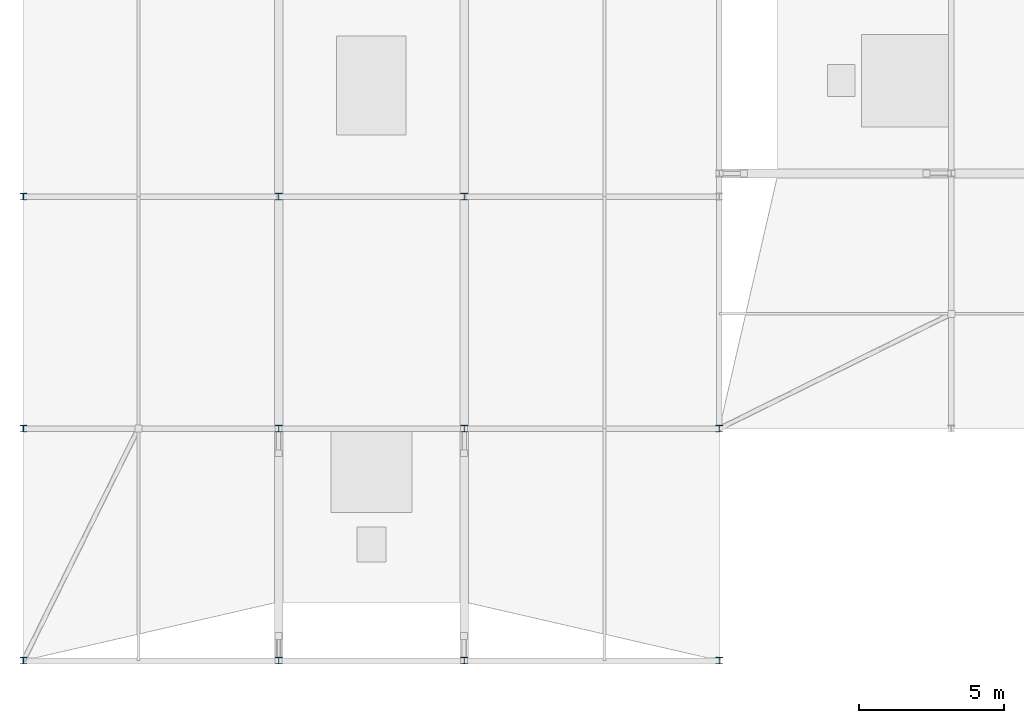
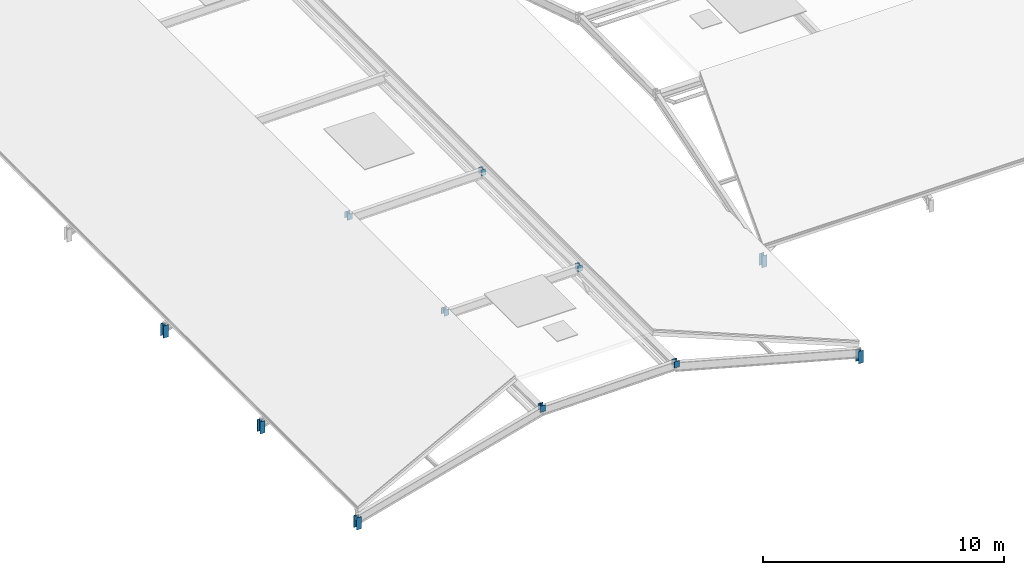
# One storey, part 18 of 54: 11 members.
"""IFC4 building model written with IfcOpenShell, lengths in metres."""

from ifc_helpers import new_model, si_unit, direction, frame, origin, origin_2d, place, context, subcontext, project, spatial, i_section, extrude, material, material_profile, profile_set, type_object, element, save


model = new_model("IFC4")

# Units and contexts
model_context = context("Model", 3, precision=1e-05, world=origin(), true_north=direction((0.0, 1.0)))
body_context = subcontext(model_context, "Body", "Model", "MODEL_VIEW")
ifc_project = project(units=[si_unit("LENGTHUNIT", "METRE"), si_unit("AREAUNIT", "SQUARE_METRE"), si_unit("VOLUMEUNIT", "CUBIC_METRE"), si_unit("PLANEANGLEUNIT", "RADIAN"), si_unit("MASSUNIT", "GRAM", prefix="KILO")], contexts=[model_context])

# Site, building, storey
site_placement = place(None, origin())
site = spatial("IfcSite", under=ifc_project, at=site_placement, CompositionType="ELEMENT")
building_placement = place(site_placement, origin())
building = spatial("IfcBuilding", under=site, at=building_placement, Name="Kenh Van Central Station", CompositionType="ELEMENT")
storey_placement = place(building_placement, frame((0.0, 0.0, 15.0)))
storey = spatial("IfcBuildingStorey", under=building, at=storey_placement, Name="L03", CompositionType="ELEMENT", Elevation=15.0)

# Members
ifc_material = material(Name="Steel S355", Category="steel")
ifc_material_profile = material_profile(ifc_material, i_section(OverallWidth=0.239990234375, OverallDepth=0.22998046875, WebThickness=0.007568359375, FlangeThickness=0.011962890625, FilletRadius=0.02099609375, at=origin_2d()), Name="HEA 240")
ifc_profile_set = profile_set([ifc_material_profile], Name="Steel S355")
member_type = type_object("IfcMemberType", Name="MEM-ROOF-POST240", PredefinedType="POST", material=ifc_profile_set)
member_1_placement = place(storey_placement, frame((48.0, 16.0, -0.949951171875), z_axis=(0.0, 0.0, 1.0), x_axis=(1.0, 0.0, 0.0)))
element("IfcMember", 1, at=member_1_placement, inside=storey, type_object=member_type, Name="L03 roof eave post 041", PredefinedType="POST", context=body_context, shape_type="SweptSolid", body=[
    extrude(i_section(OverallWidth=0.239990234375, OverallDepth=0.22998046875, WebThickness=0.007568359375, FlangeThickness=0.011962890625, FilletRadius=0.02099609375, at=origin_2d()), origin(), (0.0, 0.0, 1.0), 0.59814453125),
])
for number, where, z_axis, x_axis, name in (
    (2, (24.0, 8.0, -0.949951171875), (0.0, 0.0, 1.0), (1.0, 0.0, 0.0), "L03 roof eave post 096"),
    (3, (48.0, 8.0, -0.949951171875), (0.0, 0.0, 1.0), (1.0, 0.0, 0.0), "L03 roof eave post 096"),
):
    element("IfcMember", number, at=place(storey_placement, frame(where, z_axis=z_axis, x_axis=x_axis)), inside=storey, type_object=member_type, Name=name, PredefinedType="POST", context=body_context, shape_type="SweptSolid", body=[
        extrude(i_section(OverallWidth=0.239990234375, OverallDepth=0.22998046875, WebThickness=0.007568359375, FlangeThickness=0.011962890625, FilletRadius=0.02099609375, at=origin_2d()), origin(), (0.0, 0.0, 1.0), 0.619384765625),
    ])
for number, where, z_axis, x_axis, name in (
    (4, (32.800048828125, 8.0, 1.91943359375), (0.0, 0.0, 1.0), (1.0, 0.0, 0.0), "L03 crown skylight post 096"),
    (5, (39.199951171875, 8.0, 1.91943359375), (0.0, 0.0, 1.0), (1.0, 0.0, 0.0), "L03 crown skylight post 096"),
):
    element("IfcMember", number, at=place(storey_placement, frame(where, z_axis=z_axis, x_axis=x_axis)), inside=storey, type_object=member_type, Name=name, PredefinedType="POST", context=body_context, shape_type="SweptSolid", body=[
        extrude(i_section(OverallWidth=0.239990234375, OverallDepth=0.22998046875, WebThickness=0.007568359375, FlangeThickness=0.011962890625, FilletRadius=0.02099609375, at=origin_2d()), origin(), (0.0, 0.0, 1.0), 0.310546875),
    ])
member_2_placement = place(storey_placement, frame((24.0, 16.0, -0.949951171875), z_axis=(0.0, 0.0, 1.0), x_axis=(1.0, 0.0, 0.0)))
element("IfcMember", 6, at=member_2_placement, inside=storey, type_object=member_type, Name="L03 roof eave post 099", PredefinedType="POST", context=body_context, shape_type="SweptSolid", body=[
    extrude(i_section(OverallWidth=0.239990234375, OverallDepth=0.22998046875, WebThickness=0.007568359375, FlangeThickness=0.011962890625, FilletRadius=0.02099609375, at=origin_2d()), origin(), (0.0, 0.0, 1.0), 0.619384765625),
])
for number, where, z_axis, x_axis, name in (
    (7, (32.800048828125, 16.0, 1.91943359375), (0.0, 0.0, 1.0), (1.0, 0.0, 0.0), "L03 crown skylight post 099"),
    (8, (39.199951171875, 16.0, 1.91943359375), (0.0, 0.0, 1.0), (1.0, 0.0, 0.0), "L03 crown skylight post 099"),
):
    element("IfcMember", number, at=place(storey_placement, frame(where, z_axis=z_axis, x_axis=x_axis)), inside=storey, type_object=member_type, Name=name, PredefinedType="POST", context=body_context, shape_type="SweptSolid", body=[
        extrude(i_section(OverallWidth=0.239990234375, OverallDepth=0.22998046875, WebThickness=0.007568359375, FlangeThickness=0.011962890625, FilletRadius=0.02099609375, at=origin_2d()), origin(), (0.0, 0.0, 1.0), 0.310546875),
    ])
member_3_placement = place(storey_placement, frame((24.0, 24.0, -0.949951171875), z_axis=(0.0, 0.0, 1.0), x_axis=(1.0, 0.0, 0.0)))
element("IfcMember", 9, at=member_3_placement, inside=storey, type_object=member_type, Name="L03 roof eave post 102", PredefinedType="POST", context=body_context, shape_type="SweptSolid", body=[
    extrude(i_section(OverallWidth=0.239990234375, OverallDepth=0.22998046875, WebThickness=0.007568359375, FlangeThickness=0.011962890625, FilletRadius=0.02099609375, at=origin_2d()), origin(), (0.0, 0.0, 1.0), 0.619384765625),
])
for number, where, z_axis, x_axis, name in (
    (10, (32.800048828125, 24.0, 1.91943359375), (0.0, 0.0, 1.0), (1.0, 0.0, 0.0), "L03 crown skylight post 102"),
    (11, (39.199951171875, 24.0, 1.91943359375), (0.0, 0.0, 1.0), (1.0, 0.0, 0.0), "L03 crown skylight post 102"),
):
    element("IfcMember", number, at=place(storey_placement, frame(where, z_axis=z_axis, x_axis=x_axis)), inside=storey, type_object=member_type, Name=name, PredefinedType="POST", context=body_context, shape_type="SweptSolid", body=[
        extrude(i_section(OverallWidth=0.239990234375, OverallDepth=0.22998046875, WebThickness=0.007568359375, FlangeThickness=0.011962890625, FilletRadius=0.02099609375, at=origin_2d()), origin(), (0.0, 0.0, 1.0), 0.310546875),
    ])

save(model, "model.ifc")
